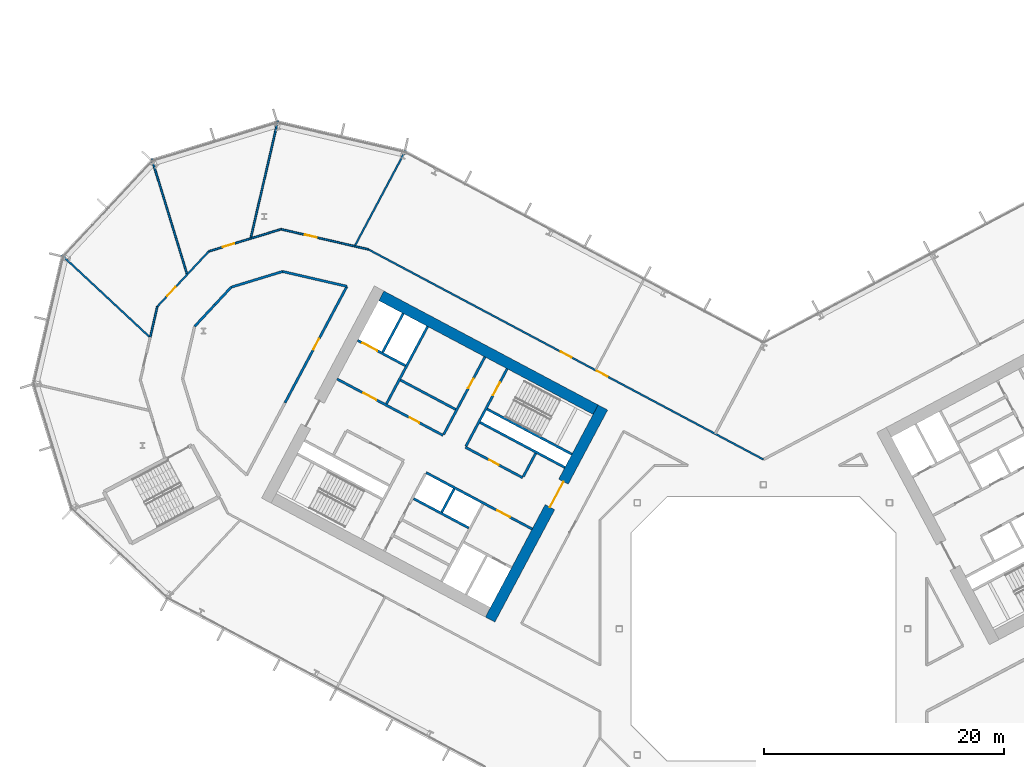
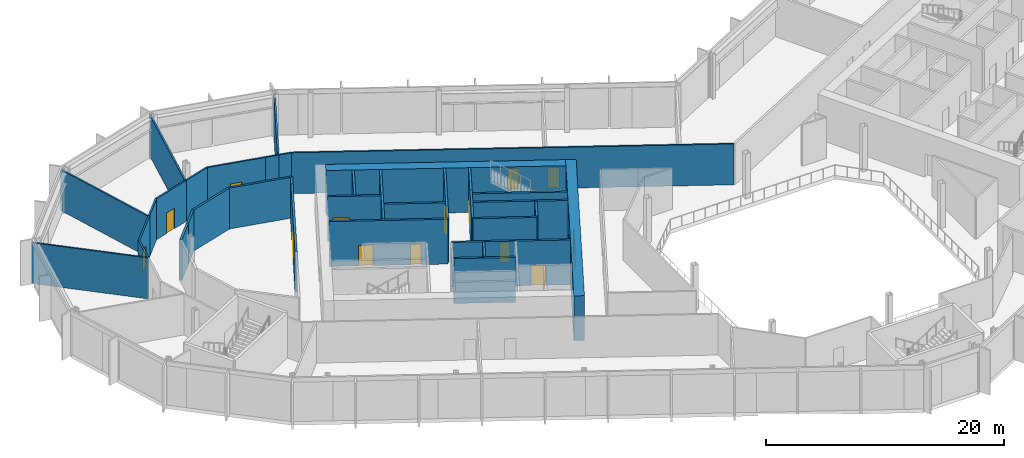
# One storey, part 15 of 30: 34 walls, 14 doors, 14 openings.
"""IFC4 building model written with IfcOpenShell, lengths in metres."""

import ifcopenshell
import ifcopenshell.guid

model = None  # the IFC model being written
_history = None  # IfcOwnerHistory: only IFC2X3 demands one
_inside = {}  # id of a spatial element -> (the spatial element, [elements in it])
_under = {}  # id of a project, library or spatial element -> (it, [spatial elements below it])
_declared = {}  # id of a project -> (the project, [libraries it declares])
_typed = {}  # id of a type object -> (the type object, [elements of that type])
_made_of = {}  # id of a material, layer set ... -> (it, [elements and type objects made of it])


def new_model(schema):
    """Start an empty IFC model of exactly this schema.

    Asked for "IFC4X3", IfcOpenShell would pick the latest addendum, in which some entities
    have other attributes; the version numbers below select the first issue.
    IFC2X3 requires an IfcOwnerHistory on every rooted entity: one is made here for all.
    """
    global model, _history
    if schema == "IFC4X3":
        model = ifcopenshell.file(schema_version=(4, 3, 0, 0))
    else:
        model = ifcopenshell.file(schema=schema)
    _inside.clear()
    _under.clear()
    _declared.clear()
    _typed.clear()
    _made_of.clear()
    _history = None
    if model.schema == "IFC2X3":
        org = make("IfcOrganization", Name="unknown")
        user = make(
            "IfcPersonAndOrganization",
            ThePerson=make("IfcPerson", FamilyName="unknown"),
            TheOrganization=org,
        )
        app = make(
            "IfcApplication",
            ApplicationDeveloper=org,
            Version="unknown",
            ApplicationFullName="unknown",
            ApplicationIdentifier="unknown",
        )
        _history = make(
            "IfcOwnerHistory",
            OwningUser=user,
            OwningApplication=app,
            ChangeAction="ADDED",
            CreationDate=0,
        )
    return model


def make(cls, **values):
    """One entity of the class cls with the attributes given. An attribute that is None is left unset."""
    return model.create_entity(
        cls, **{name: value for name, value in values.items() if value is not None}
    )


def rooted(cls, **values):
    """An entity with a GlobalId (a new one), such as an element, a storey or a relation."""
    return make(cls, GlobalId=ifcopenshell.guid.new(), OwnerHistory=_history, **values)


def si_unit(unit_type, name, prefix=None):
    """IfcSIUnit, for example si_unit("LENGTHUNIT", "METRE", prefix="MILLI")."""
    return make("IfcSIUnit", UnitType=unit_type, Prefix=prefix, Name=name)


def assignment(units):
    """IfcUnitAssignment: the units of a project."""
    return None if units is None else make("IfcUnitAssignment", Units=units)


def point(xyz):
    """IfcCartesianPoint."""
    return None if xyz is None else make("IfcCartesianPoint", Coordinates=xyz)


def direction(xyz):
    """IfcDirection."""
    return None if xyz is None else make("IfcDirection", DirectionRatios=xyz)


def frame(location, z_axis=None, x_axis=None):
    """IfcAxis2Placement3D, a coordinate frame: its origin and axes. An axis left out is left unset."""
    return make(
        "IfcAxis2Placement3D",
        Location=point(location),
        Axis=direction(z_axis),
        RefDirection=direction(x_axis),
    )


def frame_2d(location, x_axis=None):
    """IfcAxis2Placement2D, a coordinate frame in the plane: its origin and x axis."""
    return make(
        "IfcAxis2Placement2D", Location=point(location), RefDirection=direction(x_axis)
    )


def origin():
    """The frame at (0, 0, 0) with its axes left unset."""
    return frame((0.0, 0.0, 0.0))


def place(relative_to, where):
    """IfcLocalPlacement: puts the frame where relative to a parent placement (None: the world)."""
    return make(
        "IfcLocalPlacement", PlacementRelTo=relative_to, RelativePlacement=where
    )


def context(
    kind, dimensions, precision=None, world=None, true_north=None, identifier=None
):
    """IfcGeometricRepresentationContext, for example the 3D "Model" context."""
    return make(
        "IfcGeometricRepresentationContext",
        ContextIdentifier=identifier,
        ContextType=kind,
        CoordinateSpaceDimension=dimensions,
        Precision=precision,
        WorldCoordinateSystem=world,
        TrueNorth=true_north,
    )


def subcontext(parent, identifier, kind, view, scale=None):
    """IfcGeometricRepresentationSubContext, for example "Body" below "Model"."""
    return make(
        "IfcGeometricRepresentationSubContext",
        ContextIdentifier=identifier,
        ContextType=kind,
        ParentContext=parent,
        TargetScale=scale,
        TargetView=view,
    )


def project(units=None, contexts=None):
    """IfcProject with its units and contexts."""
    return rooted(
        "IfcProject",
        Name="project",
        RepresentationContexts=contexts,
        UnitsInContext=assignment(units),
    )


def spatial(cls, under=None, at=None, **own):
    """A site, building, storey or space (cls), placed at a placement, below another one or the project."""
    s = rooted(cls, ObjectPlacement=at, **own)
    if under is not None:
        _under.setdefault(under.id(), (under, []))[1].append(s)
    return s


def profile(cls, at=None, kind="AREA", **sizes):
    """A parametric profile (cls). Its sizes go by their IFC names, for example OverallWidth=200.0."""
    return make(cls, ProfileType=kind, Position=at, **sizes)


def rectangle(**sizes):
    """IfcRectangleProfileDef."""
    return profile("IfcRectangleProfileDef", **sizes)


def extrude(swept, where, along, depth):
    """IfcExtrudedAreaSolid: the profile swept, set in the frame where, extruded along a direction by depth."""
    return make(
        "IfcExtrudedAreaSolid",
        SweptArea=swept,
        Position=where,
        ExtrudedDirection=direction(along),
        Depth=depth,
    )


def shape(context_of_items, identifier, shape_type, items):
    """IfcShapeRepresentation: the items that make up one representation, for example the "Body"."""
    return make(
        "IfcShapeRepresentation",
        ContextOfItems=context_of_items,
        RepresentationIdentifier=identifier,
        RepresentationType=shape_type,
        Items=items,
    )


def material(Name=None, Category=None):
    """IfcMaterial."""
    return make("IfcMaterial", Name=Name, Category=Category)


def layer(
    of_material, thickness, ventilated=None, Name=None, Category=None, Priority=None
):
    """IfcMaterialLayer: one layer of a wall or slab, of a material (None: an air gap)."""
    return make(
        "IfcMaterialLayer",
        Material=of_material,
        LayerThickness=thickness,
        IsVentilated=ventilated,
        Name=Name,
        Category=Category,
        Priority=Priority,
    )


def layer_set(layers, Name=None):
    """IfcMaterialLayerSet."""
    return make("IfcMaterialLayerSet", MaterialLayers=layers, LayerSetName=Name)


def made_of(thing, what):
    """Note that an element or type object is made of a material, layer set ...; save() writes the relation."""
    if what is not None:
        _made_of.setdefault(what.id(), (what, []))[1].append(thing)
    return thing


def type_object(cls, material=None, **own):
    """A type object (cls), such as IfcWallType, which elements share."""
    return made_of(rooted(cls, **own), material)


def element(
    cls,
    number,
    at=None,
    inside=None,
    cuts=None,
    type_object=None,
    material=None,
    context=None,
    identifier="Body",
    shape_type=None,
    held_by="IfcProductDefinitionShape",
    body=None,
    shapes=None,
    **own,
):
    """One element of the class cls, such as IfcWall. Its Tag is "e" and its number.

    at: its placement. inside: the storey or other place that contains it. cuts: it is an
    opening in that element (IfcRelVoidsElement). A single representation is given by context,
    identifier, shape_type and body (its items); several are given by shapes. held_by: the class
    of the entity that holds the representations. save() writes the other relations.
    """
    e = rooted(cls, Tag="e%d" % number, ObjectPlacement=at, **own)
    if body is not None:
        shapes = [shape(context, identifier, shape_type, body)]
    if shapes is not None:
        e.Representation = make(held_by, Representations=shapes)
    if inside is not None:
        _inside.setdefault(inside.id(), (inside, []))[1].append(e)
    if cuts is not None:
        rooted(
            "IfcRelVoidsElement", RelatingBuildingElement=cuts, RelatedOpeningElement=e
        )
    if type_object is not None:
        _typed.setdefault(type_object.id(), (type_object, []))[1].append(e)
    return made_of(e, material)


def fill(opening, filler):
    """IfcRelFillsElement: the door or window that sits in an opening."""
    return rooted(
        "IfcRelFillsElement",
        RelatingOpeningElement=opening,
        RelatedBuildingElement=filler,
    )


def aggregate(whole, parts):
    """IfcRelAggregates: a whole, such as a stair, and the parts it consists of."""
    return rooted("IfcRelAggregates", RelatingObject=whole, RelatedObjects=parts)


def save(model, path):
    """Write the relations noted so far, then the file.

    IfcRelAggregates (storeys below a building ...), IfcRelContainedInSpatialStructure (elements
    in a storey), IfcRelDefinesByType, IfcRelAssociatesMaterial and IfcRelDeclares: one each for
    every whole, place, type object, material and project.
    """
    for whole, parts in _under.values():
        aggregate(whole, parts)
    for where, things in _inside.values():
        rooted(
            "IfcRelContainedInSpatialStructure",
            RelatedElements=things,
            RelatingStructure=where,
        )
    for kind, things in _typed.values():
        rooted("IfcRelDefinesByType", RelatedObjects=things, RelatingType=kind)
    for what, things in _made_of.values():
        rooted("IfcRelAssociatesMaterial", RelatedObjects=things, RelatingMaterial=what)
    for by, libraries in _declared.values():
        rooted("IfcRelDeclares", RelatingContext=by, RelatedDefinitions=libraries)
    model.write(path)


model = new_model("IFC4")

# Units and contexts
model_context = context("Model", 3, precision=1e-05, world=origin(), true_north=direction((0.0, 1.0)))
body_context = subcontext(model_context, "Body", "Model", "MODEL_VIEW")
ifc_project = project(units=[si_unit("LENGTHUNIT", "METRE"), si_unit("AREAUNIT", "SQUARE_METRE"), si_unit("VOLUMEUNIT", "CUBIC_METRE"), si_unit("PLANEANGLEUNIT", "RADIAN"), si_unit("MASSUNIT", "GRAM", prefix="KILO")], contexts=[model_context])

# Site, building, storey
site_placement = place(None, origin())
site = spatial("IfcSite", under=ifc_project, at=site_placement, CompositionType="ELEMENT")
building_placement = place(site_placement, origin())
building = spatial("IfcBuilding", under=site, at=building_placement, Name="Cormorant Relay Tower", CompositionType="ELEMENT")
storey_placement = place(building_placement, frame((0.0, 0.0, 89.199951171875)))
storey = spatial("IfcBuildingStorey", under=building, at=storey_placement, Name="L17", CompositionType="ELEMENT", Elevation=89.199951171875)

# Walls
ifc_material_1 = material(Name="Concrete 40 MPa", Category="concrete")
ifc_layer_1 = layer(ifc_material_1, 0.199951171875)
ifc_layer_set_1 = layer_set([ifc_layer_1], Name="Core internal wall 200")
wall_type_1 = type_object("IfcWallType", Name="Core internal wall 200", PredefinedType="SOLIDWALL", material=ifc_layer_set_1)
wall_1_placement = place(storey_placement, frame((-25.744140625, 11.64990234375, 0.0), z_axis=(0.0, 0.0, 1.0), x_axis=(-0.469487830541, -0.882938942948, 0.0)))
element("IfcWall", 1, at=wall_1_placement, inside=storey, type_object=wall_type_1, Name="L17 core A shaft and room wall", PredefinedType="SOLIDWALL", context=body_context, shape_type="SweptSolid", body=[
    extrude(rectangle(XDim=2.2001953125, YDim=0.199951171875, at=frame_2d((1.10009765625, 0.0))), origin(), (0.0, 0.0, 1.0), 4.60009765625),
])
ifc_material_2 = material(Name="Concrete 50 MPa", Category="concrete")
ifc_layer_2 = layer(ifc_material_2, 0.199951171875)
ifc_layer_set_2 = layer_set([ifc_layer_2], Name="Core shaft wall 200")
wall_type_2 = type_object("IfcWallType", Name="Core shaft wall 200", PredefinedType="SHEAR", material=ifc_layer_set_2)
wall_2_placement = place(storey_placement, frame((-18.959716796875, 14.611328125, 0.0), z_axis=(0.0, 0.0, 1.0), x_axis=(-0.4694473164, -0.882960484464, 0.0)))
element("IfcWall", 2, at=wall_2_placement, inside=storey, type_object=wall_type_2, Name="L17 core A shaft wall", PredefinedType="SHEAR", context=body_context, shape_type="SweptSolid", body=[
    extrude(rectangle(XDim=2.199951171875, YDim=0.199951171875, at=frame_2d((1.10009765625, 0.0))), origin(), (0.0, 0.0, 1.0), 4.60009765625),
])

# Wall, opening, door
wall_3_placement = place(storey_placement, frame((-21.333251953125, 21.6494140625, 0.0), z_axis=(0.0, 0.0, 1.0), x_axis=(-0.469494272526, -0.882935517501, 0.0)))
wall_3 = element("IfcWall", 3, at=wall_3_placement, inside=storey, type_object=wall_type_2, Name="L17 core A shaft wall", PredefinedType="SHEAR", context=body_context, shape_type="SweptSolid", body=[
    extrude(rectangle(XDim=7.2998046875, YDim=0.199951171875, at=frame_2d((3.64990234375, 0.0))), origin(), (0.0, 0.0, 1.0), 4.60009765625),
])
opening_1_placement = place(wall_3_placement, frame((1.300048828125, 0.0, 0.0)))
opening_1 = element("IfcOpeningElement", 4, at=opening_1_placement, cuts=wall_3, Name="Opening CDB-024", PredefinedType="OPENING", context=body_context, shape_type="SweptSolid", body=[
    extrude(rectangle(XDim=1.199951171875, YDim=2.10009765625, at=frame_2d((0.60009765625, 1.050048828125))), frame((0.0, 0.10986328125, 0.0), z_axis=(0.0, -1.0, 0.0), x_axis=(1.0, 0.0, 0.0)), (0.0, 0.0, 1.0), 0.219970703125),
])
ifc_material_3 = material(Name="Steel fire door", Category="steel")
door_type_1 = type_object("IfcDoorType", Name="Core stair door 1200x2100", OperationType="SINGLE_SWING_LEFT", PredefinedType="DOOR", material=ifc_material_3)
door_1_placement = place(opening_1_placement, origin())
door_1 = element("IfcDoor", 5, at=door_1_placement, inside=storey, type_object=door_type_1, Name="Core stair door 1200x2100", OperationType="SINGLE_SWING_RIGHT", OverallHeight=2.10009765625, OverallWidth=1.199951171875, PredefinedType="DOOR", context=body_context, shape_type="SweptSolid", body=[
    extrude(rectangle(XDim=1.199951171875, YDim=2.10009765625, at=frame_2d((0.60009765625, 1.050048828125))), frame((0.0, 0.02490234375, 0.0), z_axis=(0.0, -1.0, 0.0), x_axis=(1.0, 0.0, 0.0)), (0.0, 0.0, 1.0), 0.050048828125),
])
fill(opening_1, door_1)

wall_4_placement = place(storey_placement, frame((-23.1875, 22.635498046875, 0.0), z_axis=(0.0, 0.0, 1.0), x_axis=(-0.469454336211, -0.882956752176, 0.0)))
wall_4 = element("IfcWall", 6, at=wall_4_placement, inside=storey, type_object=wall_type_2, Name="L17 core A shaft wall", PredefinedType="SHEAR", context=body_context, shape_type="SweptSolid", body=[
    extrude(rectangle(XDim=7.300048828125, YDim=0.199951171875, at=frame_2d((3.64990234375, 0.0))), origin(), (0.0, 0.0, 1.0), 4.60009765625),
])
opening_2_placement = place(wall_4_placement, frame((2.050048828125, 0.0, 0.0)))
opening_2 = element("IfcOpeningElement", 7, at=opening_2_placement, cuts=wall_4, Name="Opening CDD-132", PredefinedType="OPENING", context=body_context, shape_type="SweptSolid", body=[
    extrude(rectangle(XDim=0.89990234375, YDim=2.10009765625, at=frame_2d((0.449951171875, 1.050048828125))), frame((0.0, 0.10986328125, 0.0), z_axis=(0.0, -1.0, 0.0), x_axis=(1.0, 0.0, 0.0)), (0.0, 0.0, 1.0), 0.219970703125),
])
ifc_material_4 = material(Name="Steel fire door", Category="steel")
door_type_2 = type_object("IfcDoorType", Name="Core room door 900x2100", OperationType="SINGLE_SWING_LEFT", PredefinedType="DOOR", material=ifc_material_4)
door_2_placement = place(opening_2_placement, origin())
door_2 = element("IfcDoor", 8, at=door_2_placement, inside=storey, type_object=door_type_2, Name="Core room door 900x2100", OperationType="SINGLE_SWING_LEFT", OverallHeight=2.10009765625, OverallWidth=0.89990234375, PredefinedType="DOOR", context=body_context, shape_type="SweptSolid", body=[
    extrude(rectangle(XDim=0.89990234375, YDim=2.10009765625, at=frame_2d((0.449951171875, 1.050048828125))), frame((0.0, 0.02490234375, 0.0), z_axis=(0.0, -1.0, 0.0), x_axis=(1.0, 0.0, 0.0)), (0.0, 0.0, 1.0), 0.050048828125),
])
fill(opening_2, door_2)

# Walls
wall_5_placement = place(storey_placement, frame((-27.955322265625, 25.170654296875, 0.0), z_axis=(0.0, 0.0, 1.0), x_axis=(-0.469480409012, -0.88294288918, 0.0)))
element("IfcWall", 9, at=wall_5_placement, inside=storey, type_object=wall_type_2, Name="L17 core A shaft wall", PredefinedType="SHEAR", context=body_context, shape_type="SweptSolid", body=[
    extrude(rectangle(XDim=7.300048828125, YDim=0.199951171875, at=frame_2d((3.64990234375, 0.0))), origin(), (0.0, 0.0, 1.0), 4.60009765625),
])
wall_6_placement = place(storey_placement, frame((-29.986083984375, 26.250244140625, 0.0), z_axis=(0.0, 0.0, 1.0), x_axis=(-0.469494272526, -0.882935517501, 0.0)))
element("IfcWall", 10, at=wall_6_placement, inside=storey, type_object=wall_type_2, Name="L17 core A shaft wall", PredefinedType="SHEAR", context=body_context, shape_type="SweptSolid", body=[
    extrude(rectangle(XDim=3.64990234375, YDim=0.199951171875, at=frame_2d((1.824951171875, 0.0))), origin(), (0.0, 0.0, 1.0), 4.60009765625),
])
wall_7_placement = place(storey_placement, frame((-15.94189453125, 14.53564453125, 0.0), z_axis=(0.0, 0.0, 1.0), x_axis=(-0.882946947542, 0.469472776449, 0.0)))
element("IfcWall", 11, at=wall_7_placement, inside=storey, type_object=wall_type_2, Name="L17 core A shaft wall", PredefinedType="SHEAR", context=body_context, shape_type="SweptSolid", body=[
    extrude(rectangle(XDim=8.000244140625, YDim=0.199951171875, at=frame_2d((4.0, 0.0))), origin(), (0.0, 0.0, 1.0), 4.60009765625),
])

# Wall, opening, door
wall_8_placement = place(storey_placement, frame((-29.80419921875, 21.906494140625, 0.0), z_axis=(0.0, 0.0, 1.0), x_axis=(-0.882960433586, 0.469447412093, 0.0)))
wall_8 = element("IfcWall", 12, at=wall_8_placement, inside=storey, type_object=wall_type_2, Name="L17 core A shaft wall", PredefinedType="SHEAR", context=body_context, shape_type="SweptSolid", body=[
    extrude(rectangle(XDim=4.5, YDim=0.199951171875, at=frame_2d((2.25, 0.0))), origin(), (0.0, 0.0, 1.0), 4.60009765625),
])
opening_3_placement = place(wall_8_placement, frame((2.64990234375, 0.0, 0.0)))
opening_3 = element("IfcOpeningElement", 13, at=opening_3_placement, cuts=wall_8, Name="Opening LD3-009", PredefinedType="OPENING", context=body_context, shape_type="SweptSolid", body=[
    extrude(rectangle(XDim=1.39990234375, YDim=2.39990234375, at=frame_2d((0.699951171875, 1.199951171875))), frame((0.0, 0.10986328125, 0.0), z_axis=(0.0, -1.0, 0.0), x_axis=(1.0, 0.0, 0.0)), (0.0, 0.0, 1.0), 0.219970703125),
])
ifc_material_5 = material(Name="Stainless steel 316", Category="steel")
door_type_3 = type_object("IfcDoorType", Name="Lift landing door 1400x2400", OperationType="DOUBLE_DOOR_SLIDING", PredefinedType="DOOR", material=ifc_material_5)
door_3_placement = place(opening_3_placement, origin())
door_3 = element("IfcDoor", 14, at=door_3_placement, inside=storey, type_object=door_type_3, Name="SV1 landing door", OperationType="DOUBLE_DOOR_SLIDING", OverallHeight=2.39990234375, OverallWidth=1.39990234375, PredefinedType="DOOR", context=body_context, shape_type="SweptSolid", body=[
    extrude(rectangle(XDim=1.39990234375, YDim=2.39990234375, at=frame_2d((0.699951171875, 1.199951171875))), frame((0.0, 0.02490234375, 0.0), z_axis=(0.0, -1.0, 0.0), x_axis=(1.0, 0.0, 0.0)), (0.0, 0.0, 1.0), 0.050048828125),
])
fill(opening_3, door_3)

# Walls
wall_9_placement = place(storey_placement, frame((-16.52880859375, 13.43212890625, 0.0), z_axis=(0.0, 0.0, 1.0), x_axis=(-0.88295287151, 0.469461634952, 0.0)))
element("IfcWall", 15, at=wall_9_placement, inside=storey, type_object=wall_type_2, Name="L17 core A shaft wall", PredefinedType="SHEAR", context=body_context, shape_type="SweptSolid", body=[
    extrude(rectangle(XDim=7.999755859375, YDim=0.199951171875, at=frame_2d((4.0, 0.0))), origin(), (0.0, 0.0, 1.0), 4.60009765625),
])
wall_10_placement = place(storey_placement, frame((-25.623046875, 18.267578125, 0.0), z_axis=(0.0, 0.0, 1.0), x_axis=(-0.882953967957, 0.469459572775, 0.0)))
element("IfcWall", 16, at=wall_10_placement, inside=storey, type_object=wall_type_2, Name="L17 core A shaft wall", PredefinedType="SHEAR", context=body_context, shape_type="SweptSolid", body=[
    extrude(rectangle(XDim=5.199951171875, YDim=0.199951171875, at=frame_2d((2.60009765625, 0.0))), origin(), (0.0, 0.0, 1.0), 4.60009765625),
])

# Wall, opening, door
wall_11_placement = place(storey_placement, frame((-20.03955078125, 12.58056640625, 0.0), z_axis=(0.0, 0.0, 1.0), x_axis=(-0.882942972946, 0.469480251476, 0.0)))
wall_11 = element("IfcWall", 17, at=wall_11_placement, inside=storey, type_object=wall_type_2, Name="L17 core A shaft wall", PredefinedType="SHEAR", context=body_context, shape_type="SweptSolid", body=[
    extrude(rectangle(XDim=5.39990234375, YDim=0.199951171875, at=frame_2d((2.699951171875, 0.0))), origin(), (0.0, 0.0, 1.0), 4.60009765625),
])
opening_4_placement = place(wall_11_placement, frame((2.25, 0.0, 0.0)))
opening_4 = element("IfcOpeningElement", 18, at=opening_4_placement, cuts=wall_11, Name="Opening CDD-127", PredefinedType="OPENING", context=body_context, shape_type="SweptSolid", body=[
    extrude(rectangle(XDim=0.89990234375, YDim=2.10009765625, at=frame_2d((0.449951171875, 1.050048828125))), frame((0.0, 0.10986328125, 0.0), z_axis=(0.0, -1.0, 0.0), x_axis=(1.0, 0.0, 0.0)), (0.0, 0.0, 1.0), 0.219970703125),
])
door_4_placement = place(opening_4_placement, frame((0.89990234375, 0.0, 0.0), z_axis=(0.0, 0.0, 1.0), x_axis=(-1.0, 0.0, 0.0)))
door_4 = element("IfcDoor", 19, at=door_4_placement, inside=storey, type_object=door_type_2, Name="Core room door 900x2100", OperationType="SINGLE_SWING_RIGHT", OverallHeight=2.10009765625, OverallWidth=0.89990234375, PredefinedType="DOOR", context=body_context, shape_type="SweptSolid", body=[
    extrude(rectangle(XDim=0.89990234375, YDim=2.10009765625, at=frame_2d((0.449951171875, 1.050048828125))), frame((0.0, 0.02490234375, 0.0), z_axis=(0.0, -1.0, 0.0), x_axis=(1.0, 0.0, 0.0)), (0.0, 0.0, 1.0), 0.050048828125),
])
fill(opening_4, door_4)

# Wall, openings, doors
wall_12_placement = place(storey_placement, frame((-26.66162109375, 16.1015625, 0.0), z_axis=(0.0, 0.0, 1.0), x_axis=(-0.882940221191, 0.469485426614, 0.0)))
wall_12 = element("IfcWall", 20, at=wall_12_placement, inside=storey, type_object=wall_type_2, Name="L17 core A shaft wall", PredefinedType="SHEAR", context=body_context, shape_type="SweptSolid", body=[
    extrude(rectangle(XDim=10.0, YDim=0.199951171875, at=frame_2d((5.0, 0.0))), origin(), (0.0, 0.0, 1.0), 4.60009765625),
])
opening_5_placement = place(wall_12_placement, frame((6.300048828125, 0.0, 0.0)))
opening_5 = element("IfcOpeningElement", 21, at=opening_5_placement, cuts=wall_12, Name="Opening CDC-018", PredefinedType="OPENING", context=body_context, shape_type="SweptSolid", body=[
    extrude(rectangle(XDim=1.199951171875, YDim=2.10009765625, at=frame_2d((0.60009765625, 1.050048828125))), frame((0.0, 0.10986328125, 0.0), z_axis=(0.0, -1.0, 0.0), x_axis=(1.0, 0.0, 0.0)), (0.0, 0.0, 1.0), 0.219970703125),
])
opening_6_placement = place(wall_12_placement, frame((2.25, 0.0, 0.0)))
opening_6 = element("IfcOpeningElement", 22, at=opening_6_placement, cuts=wall_12, Name="Opening CDD-128", PredefinedType="OPENING", context=body_context, shape_type="SweptSolid", body=[
    extrude(rectangle(XDim=0.89990234375, YDim=2.10009765625, at=frame_2d((0.449951171875, 1.050048828125))), frame((0.0, 0.10986328125, 0.0), z_axis=(0.0, -1.0, 0.0), x_axis=(1.0, 0.0, 0.0)), (0.0, 0.0, 1.0), 0.219970703125),
])
ifc_material_6 = material(Name="Steel fire door", Category="steel")
door_type_4 = type_object("IfcDoorType", Name="Core lobby door 1200x2100", OperationType="SINGLE_SWING_LEFT", PredefinedType="DOOR", material=ifc_material_6)
door_5_placement = place(opening_5_placement, origin())
door_5 = element("IfcDoor", 23, at=door_5_placement, inside=storey, type_object=door_type_4, Name="Core lobby door 1200x2100", OperationType="SINGLE_SWING_LEFT", OverallHeight=2.10009765625, OverallWidth=1.199951171875, PredefinedType="DOOR", context=body_context, shape_type="SweptSolid", body=[
    extrude(rectangle(XDim=1.199951171875, YDim=2.10009765625, at=frame_2d((0.60009765625, 1.050048828125))), frame((0.0, 0.02490234375, 0.0), z_axis=(0.0, -1.0, 0.0), x_axis=(1.0, 0.0, 0.0)), (0.0, 0.0, 1.0), 0.050048828125),
])
fill(opening_5, door_5)
door_6_placement = place(opening_6_placement, origin())
door_6 = element("IfcDoor", 24, at=door_6_placement, inside=storey, type_object=door_type_2, Name="Core room door 900x2100", OperationType="SINGLE_SWING_LEFT", OverallHeight=2.10009765625, OverallWidth=0.89990234375, PredefinedType="DOOR", context=body_context, shape_type="SweptSolid", body=[
    extrude(rectangle(XDim=0.89990234375, YDim=2.10009765625, at=frame_2d((0.449951171875, 1.050048828125))), frame((0.0, 0.02490234375, 0.0), z_axis=(0.0, -1.0, 0.0), x_axis=(1.0, 0.0, 0.0)), (0.0, 0.0, 1.0), 0.050048828125),
])
fill(opening_6, door_6)

# Wall, opening, door
wall_13_placement = place(storey_placement, frame((-19.251708984375, 8.31103515625, 0.0), z_axis=(0.0, 0.0, 1.0), x_axis=(-0.882955722218, 0.469456273365, 0.0)))
wall_13 = element("IfcWall", 25, at=wall_13_placement, inside=storey, type_object=wall_type_2, Name="L17 core A shaft wall", PredefinedType="SHEAR", context=body_context, shape_type="SweptSolid", body=[
    extrude(rectangle(XDim=10.0, YDim=0.199951171875, at=frame_2d((5.0, 0.0))), origin(), (0.0, 0.0, 1.0), 4.60009765625),
])
opening_7_placement = place(wall_13_placement, frame((2.10009765625, 0.0, 0.0)))
opening_7 = element("IfcOpeningElement", 26, at=opening_7_placement, cuts=wall_13, Name="Opening CDC-017", PredefinedType="OPENING", context=body_context, shape_type="SweptSolid", body=[
    extrude(rectangle(XDim=1.199951171875, YDim=2.10009765625, at=frame_2d((0.60009765625, 1.050048828125))), frame((0.0, 0.10986328125, 0.0), z_axis=(0.0, -1.0, 0.0), x_axis=(1.0, 0.0, 0.0)), (0.0, 0.0, 1.0), 0.219970703125),
])
door_7_placement = place(opening_7_placement, origin())
door_7 = element("IfcDoor", 27, at=door_7_placement, inside=storey, type_object=door_type_4, Name="Core lobby door 1200x2100", OperationType="SINGLE_SWING_RIGHT", OverallHeight=2.10009765625, OverallWidth=1.199951171875, PredefinedType="DOOR", context=body_context, shape_type="SweptSolid", body=[
    extrude(rectangle(XDim=1.199951171875, YDim=2.10009765625, at=frame_2d((0.60009765625, 1.050048828125))), frame((0.0, 0.02490234375, 0.0), z_axis=(0.0, -1.0, 0.0), x_axis=(1.0, 0.0, 0.0)), (0.0, 0.0, 1.0), 0.050048828125),
])
fill(opening_7, door_7)

# Wall
wall_14_placement = place(storey_placement, frame((-24.5283203125, 8.3984375, 0.0), z_axis=(0.0, 0.0, 1.0), x_axis=(-0.882953967957, 0.469459572775, 0.0)))
element("IfcWall", 28, at=wall_14_placement, inside=storey, type_object=wall_type_2, Name="L17 core A shaft wall", PredefinedType="SHEAR", context=body_context, shape_type="SweptSolid", body=[
    extrude(rectangle(XDim=5.199951171875, YDim=0.199951171875, at=frame_2d((2.60009765625, 0.0))), origin(), (0.0, 0.0, 1.0), 4.60009765625),
])

# Wall, opening, door
ifc_material_7 = material(Name="Concrete 70 MPa", Category="concrete")
ifc_layer_3 = layer(ifc_material_7, 0.89990234375)
ifc_layer_set_3 = layer_set([ifc_layer_3], Name="Core wall 900")
wall_type_3 = type_object("IfcWallType", Name="Core wall 900", PredefinedType="SHEAR", material=ifc_layer_set_3)
wall_15_placement = place(storey_placement, frame((-13.361572265625, 18.43017578125, 0.0), z_axis=(0.0, 0.0, 1.0), x_axis=(-0.46947084998, -0.882947971864, 0.0)))
wall_15 = element("IfcWall", 29, at=wall_15_placement, inside=storey, type_object=wall_type_3, Name="L17 core A wall", PredefinedType="SHEAR", context=body_context, shape_type="SweptSolid", body=[
    extrude(rectangle(XDim=20.0, YDim=0.89990234375, at=frame_2d((10.0, 0.0))), origin(), (0.0, 0.0, 1.0), 4.60009765625),
])
opening_8_placement = place(wall_15_placement, frame((7.0, 0.0, 0.0)))
opening_8 = element("IfcOpeningElement", 30, at=opening_8_placement, cuts=wall_15, Name="Opening CDA-021", PredefinedType="OPENING", context=body_context, shape_type="SweptSolid", body=[
    extrude(rectangle(XDim=2.39990234375, YDim=2.39990234375, at=frame_2d((1.199951171875, 1.199951171875))), frame((0.0, 0.4599609375, 0.0), z_axis=(0.0, -1.0, 0.0), x_axis=(1.0, 0.0, 0.0)), (0.0, 0.0, 1.0), 0.919921875),
])
ifc_material_8 = material(Name="Steel fire door", Category="steel")
door_type_5 = type_object("IfcDoorType", Name="Core lobby door 2400x2400", OperationType="DOUBLE_DOOR_SINGLE_SWING", PredefinedType="DOOR", material=ifc_material_8)
door_8_placement = place(opening_8_placement, origin())
door_8 = element("IfcDoor", 31, at=door_8_placement, inside=storey, type_object=door_type_5, Name="Core lobby door 2400x2400", OperationType="DOUBLE_DOOR_SINGLE_SWING", OverallHeight=2.39990234375, OverallWidth=2.39990234375, PredefinedType="DOOR", context=body_context, shape_type="SweptSolid", body=[
    extrude(rectangle(XDim=2.39990234375, YDim=2.39990234375, at=frame_2d((1.199951171875, 1.199951171875))), frame((0.0, 0.02490234375, 0.0), z_axis=(0.0, -1.0, 0.0), x_axis=(1.0, 0.0, 0.0)), (0.0, 0.0, 1.0), 0.050048828125),
])
fill(opening_8, door_8)

# Walls
wall_16_placement = place(storey_placement, frame((-13.97021484375, 18.244140625, 0.0), z_axis=(0.0, 0.0, 1.0), x_axis=(-0.88294509198, 0.469476266226, 0.0)))
element("IfcWall", 32, at=wall_16_placement, inside=storey, type_object=wall_type_3, Name="L17 core A wall", PredefinedType="SHEAR", context=body_context, shape_type="SweptSolid", body=[
    extrude(rectangle(XDim=20.199951171875, YDim=0.89990234375, at=frame_2d((10.10009765625, 0.0))), origin(), (0.0, 0.0, 1.0), 4.60009765625),
])
ifc_material_9 = material(Name="Fire-rated gypsum board partition")
ifc_layer_4 = layer(ifc_material_9, 0.199951171875)
ifc_layer_set_4 = layer_set([ifc_layer_4], Name="Fire-rated gypsum partition 200")
wall_type_4 = type_object("IfcWallType", Name="Fire-rated gypsum partition 200", PredefinedType="PARTITIONING", material=ifc_layer_set_4)
wall_17_placement = place(storey_placement, frame((-47.35107421875, 25.177001953125, 0.0), z_axis=(0.0, 0.0, 1.0), x_axis=(0.681950982626, 0.731397878925, 0.0)))
element("IfcWall", 33, at=wall_17_placement, inside=storey, type_object=wall_type_4, Name="wall/L17/part/13", PredefinedType="PARTITIONING", context=body_context, shape_type="SweptSolid", body=[
    extrude(rectangle(XDim=2.4638671875, YDim=0.199951171875, at=frame_2d((1.23193359375, 0.0))), origin(), (0.0, 0.0, 1.0), 4.199951171875),
])
wall_18_placement = place(storey_placement, frame((-40.033935546875, 29.7490234375, 0.0), z_axis=(0.0, 0.0, 1.0), x_axis=(-0.956357512161, -0.29219909126, 0.0)))
element("IfcWall", 34, at=wall_18_placement, inside=storey, type_object=wall_type_4, Name="wall/L17/part/19", PredefinedType="PARTITIONING", context=body_context, shape_type="SweptSolid", body=[
    extrude(rectangle(XDim=4.4658203125, YDim=0.199951171875, at=frame_2d((2.23291015625, 0.0))), origin(), (0.0, 0.0, 1.0), 4.199951171875),
])
wall_19_placement = place(storey_placement, frame((-44.304931640625, 28.444091796875, 0.0), z_axis=(0.0, 0.0, 1.0), x_axis=(-0.681931663517, -0.731415891469, 0.0)))
element("IfcWall", 35, at=wall_19_placement, inside=storey, type_object=wall_type_4, Name="wall/L17/part/20", PredefinedType="PARTITIONING", context=body_context, shape_type="SweptSolid", body=[
    extrude(rectangle(XDim=2.003173828125, YDim=0.199951171875, at=frame_2d((1.00146484375, 0.0))), origin(), (0.0, 0.0, 1.0), 4.199951171875),
])
wall_20_placement = place(storey_placement, frame((-34.673095703125, 28.511962890625, 0.0), z_axis=(0.0, 0.0, 1.0), x_axis=(-0.974393439342, 0.224849784003, 0.0)))
element("IfcWall", 36, at=wall_20_placement, inside=storey, type_object=wall_type_4, Name="wall/L17/part/31", PredefinedType="PARTITIONING", context=body_context, shape_type="SweptSolid", body=[
    extrude(rectangle(XDim=5.501708984375, YDim=0.199951171875, at=frame_2d((2.7509765625, 0.0))), origin(), (0.0, 0.0, 1.0), 4.199951171875),
])

# Wall, opening, door
wall_21_placement = place(storey_placement, frame((-34.673095703125, 28.511962890625, 0.0), z_axis=(0.0, 0.0, 1.0), x_axis=(-0.469440333182, -0.882964197226, 0.0)))
wall_21 = element("IfcWall", 37, at=wall_21_placement, inside=storey, type_object=wall_type_4, Name="wall/L17/part/32", PredefinedType="PARTITIONING", context=body_context, shape_type="SweptSolid", body=[
    extrude(rectangle(XDim=10.9765625, YDim=0.199951171875, at=frame_2d((5.48828125, 0.0))), origin(), (0.0, 0.0, 1.0), 4.199951171875),
])
opening_9_placement = place(wall_21_placement, frame((4.949951171875, 0.0, 0.0)))
opening_9 = element("IfcOpeningElement", 38, at=opening_9_placement, cuts=wall_21, Name="Opening FD1-092", PredefinedType="OPENING", context=body_context, shape_type="SweptSolid", body=[
    extrude(rectangle(XDim=1.0, YDim=2.10009765625, at=frame_2d((0.5, 1.050048828125))), frame((0.0, 0.10986328125, 0.0), z_axis=(0.0, -1.0, 0.0), x_axis=(1.0, 0.0, 0.0)), (0.0, 0.0, 1.0), 0.219970703125),
])
ifc_material_10 = material(Name="Fire-rated steel door", Category="steel")
door_type_6 = type_object("IfcDoorType", Name="Fire door 1000 x 2100", OperationType="SINGLE_SWING_LEFT", PredefinedType="DOOR", material=ifc_material_10)
door_9_placement = place(opening_9_placement, origin())
door_9 = element("IfcDoor", 39, at=door_9_placement, inside=storey, type_object=door_type_6, Name="door/L17/1", OperationType="SINGLE_SWING_LEFT", OverallHeight=2.10009765625, OverallWidth=1.0, PredefinedType="DOOR", context=body_context, shape_type="SweptSolid", body=[
    extrude(rectangle(XDim=1.0, YDim=2.10009765625, at=frame_2d((0.5, 1.050048828125))), frame((0.0, 0.02490234375, 0.0), z_axis=(0.0, -1.0, 0.0), x_axis=(1.0, 0.0, 0.0)), (0.0, 0.0, 1.0), 0.050048828125),
])
fill(opening_9, door_9)

# Wall
ifc_material_11 = material(Name="Gypsum board partition")
ifc_layer_5 = layer(ifc_material_11, 0.14990234375)
ifc_layer_set_5 = layer_set([ifc_layer_5], Name="Gypsum board partition 150")
wall_type_5 = type_object("IfcWallType", Name="Gypsum board partition 150", PredefinedType="PARTITIONING", material=ifc_layer_set_5)
wall_22_placement = place(storey_placement, frame((-58.427001953125, 31.125, 0.0), z_axis=(0.0, 0.0, 1.0), x_axis=(0.731473963822, -0.681869371838, 0.0)))
element("IfcWall", 40, at=wall_22_placement, inside=storey, type_object=wall_type_5, Name="wall/L17/part/2", PredefinedType="PARTITIONING", context=body_context, shape_type="SweptSolid", body=[
    extrude(rectangle(XDim=10.079833984375, YDim=0.14990234375, at=frame_2d((5.0400390625, 0.0))), origin(), (0.0, 0.0, 1.0), 4.199951171875),
])

# Wall, opening, door
wall_23_placement = place(storey_placement, frame((-47.93310546875, 29.5380859375, 0.0), z_axis=(0.0, 0.0, 1.0), x_axis=(-0.682088017664, -0.731270084277, 0.0)))
wall_23 = element("IfcWall", 41, at=wall_23_placement, inside=storey, type_object=wall_type_5, Name="wall/L17/part/7", PredefinedType="PARTITIONING", context=body_context, shape_type="SweptSolid", body=[
    extrude(rectangle(XDim=3.703125, YDim=0.14990234375, at=frame_2d((1.8515625, 0.0))), origin(), (0.0, 0.0, 1.0), 4.199951171875),
])
opening_10_placement = place(wall_23_placement, frame((1.486083984375, 0.0, 0.0)))
opening_10 = element("IfcOpeningElement", 42, at=opening_10_placement, cuts=wall_23, Name="Opening D1-036", PredefinedType="OPENING", context=body_context, shape_type="SweptSolid", body=[
    extrude(rectangle(XDim=1.0, YDim=2.10009765625, at=frame_2d((0.5, 1.050048828125))), frame((0.0, 0.0849609375, 0.0), z_axis=(0.0, -1.0, 0.0), x_axis=(1.0, 0.0, 0.0)), (0.0, 0.0, 1.0), 0.169921875),
])
ifc_material_12 = material(Name="Painted steel door", Category="steel")
door_type_7 = type_object("IfcDoorType", Name="Single door 1000 x 2100", OperationType="SINGLE_SWING_LEFT", PredefinedType="DOOR", material=ifc_material_12)
door_10_placement = place(opening_10_placement, frame((1.0, 0.0, 0.0), z_axis=(0.0, 0.0, 1.0), x_axis=(-1.0, 0.0, 0.0)))
door_10 = element("IfcDoor", 43, at=door_10_placement, inside=storey, type_object=door_type_7, Name="door/L17/15", OperationType="SINGLE_SWING_RIGHT", OverallHeight=2.10009765625, OverallWidth=1.0, PredefinedType="DOOR", context=body_context, shape_type="SweptSolid", body=[
    extrude(rectangle(XDim=1.0, YDim=2.10009765625, at=frame_2d((0.5, 1.050048828125))), frame((0.0, 0.02490234375, 0.0), z_axis=(0.0, -1.0, 0.0), x_axis=(1.0, 0.0, 0.0)), (0.0, 0.0, 1.0), 0.050048828125),
])
fill(opening_10, door_10)

# Walls
wall_24_placement = place(storey_placement, frame((-50.458984375, 26.830078125, 0.0), z_axis=(0.0, 0.0, 1.0), x_axis=(-0.225121568864, -0.974330682691, 0.0)))
element("IfcWall", 44, at=wall_24_placement, inside=storey, type_object=wall_type_5, Name="wall/L17/part/8", PredefinedType="PARTITIONING", context=body_context, shape_type="SweptSolid", body=[
    extrude(rectangle(XDim=2.58544921875, YDim=0.14990234375, at=frame_2d((1.292724609375, 0.0))), origin(), (0.0, 0.0, 1.0), 4.199951171875),
])
wall_25_placement = place(storey_placement, frame((-50.922119140625, 39.133056640625, 0.0), z_axis=(0.0, 0.0, 1.0), x_axis=(0.292463432429, -0.956276707178, 0.0)))
element("IfcWall", 45, at=wall_25_placement, inside=storey, type_object=wall_type_5, Name="wall/L17/part/9", PredefinedType="PARTITIONING", context=body_context, shape_type="SweptSolid", body=[
    extrude(rectangle(XDim=10.079833984375, YDim=0.14990234375, at=frame_2d((5.0400390625, 0.0))), origin(), (0.0, 0.0, 1.0), 4.199951171875),
])

# Wall, opening, door
wall_26_placement = place(storey_placement, frame((-42.653076171875, 32.50390625, 0.0), z_axis=(0.0, 0.0, 1.0), x_axis=(-0.95632425254, -0.292307926687, 0.0)))
wall_26 = element("IfcWall", 46, at=wall_26_placement, inside=storey, type_object=wall_type_5, Name="wall/L17/part/17", PredefinedType="PARTITIONING", context=body_context, shape_type="SweptSolid", body=[
    extrude(rectangle(XDim=3.677490234375, YDim=0.14990234375, at=frame_2d((1.8388671875, 0.0))), origin(), (0.0, 0.0, 1.0), 4.199951171875),
])
opening_11_placement = place(wall_26_placement, frame((1.4609375, 0.0, 0.0)))
opening_11 = element("IfcOpeningElement", 47, at=opening_11_placement, cuts=wall_26, Name="Opening D1-035", PredefinedType="OPENING", context=body_context, shape_type="SweptSolid", body=[
    extrude(rectangle(XDim=1.0, YDim=2.10009765625, at=frame_2d((0.5, 1.050048828125))), frame((0.0, 0.0849609375, 0.0), z_axis=(0.0, -1.0, 0.0), x_axis=(1.0, 0.0, 0.0)), (0.0, 0.0, 1.0), 0.169921875),
])
door_11_placement = place(opening_11_placement, frame((1.0, 0.0, 0.0), z_axis=(0.0, 0.0, 1.0), x_axis=(-1.0, 0.0, 0.0)))
door_11 = element("IfcDoor", 48, at=door_11_placement, inside=storey, type_object=door_type_7, Name="door/L17/14", OperationType="SINGLE_SWING_RIGHT", OverallHeight=2.10009765625, OverallWidth=1.0, PredefinedType="DOOR", context=body_context, shape_type="SweptSolid", body=[
    extrude(rectangle(XDim=1.0, YDim=2.10009765625, at=frame_2d((0.5, 1.050048828125))), frame((0.0, 0.02490234375, 0.0), z_axis=(0.0, -1.0, 0.0), x_axis=(1.0, 0.0, 0.0)), (0.0, 0.0, 1.0), 0.050048828125),
])
fill(opening_11, door_11)

# Walls
wall_27_placement = place(storey_placement, frame((-46.169921875, 31.428955078125, 0.0), z_axis=(0.0, 0.0, 1.0), x_axis=(-0.68198172509, -0.731369213628, 0.0)))
element("IfcWall", 49, at=wall_27_placement, inside=storey, type_object=wall_type_5, Name="wall/L17/part/18", PredefinedType="PARTITIONING", context=body_context, shape_type="SweptSolid", body=[
    extrude(rectangle(XDim=2.58544921875, YDim=0.14990234375, at=frame_2d((1.292724609375, 0.0))), origin(), (0.0, 0.0, 1.0), 4.199951171875),
])
wall_28_placement = place(storey_placement, frame((-40.4189453125, 42.31494140625, 0.0), z_axis=(0.0, 0.0, 1.0), x_axis=(-0.224924959868, -0.974376088802, 0.0)))
element("IfcWall", 50, at=wall_28_placement, inside=storey, type_object=wall_type_5, Name="wall/L17/part/28", PredefinedType="PARTITIONING", context=body_context, shape_type="SweptSolid", body=[
    extrude(rectangle(XDim=10.079345703125, YDim=0.14990234375, at=frame_2d((5.03955078125, 0.0))), origin(), (0.0, 0.0, 1.0), 4.199951171875),
])
wall_29_placement = place(storey_placement, frame((-40.156005859375, 33.26708984375, 0.0), z_axis=(0.0, 0.0, 1.0), x_axis=(-0.956331245239, -0.292285048164, 0.0)))
element("IfcWall", 51, at=wall_29_placement, inside=storey, type_object=wall_type_5, Name="wall/L17/part/29", PredefinedType="PARTITIONING", context=body_context, shape_type="SweptSolid", body=[
    extrude(rectangle(XDim=2.611083984375, YDim=0.14990234375, at=frame_2d((1.3056640625, 0.0))), origin(), (0.0, 0.0, 1.0), 4.199951171875),
])

# Wall, opening, door
wall_30_placement = place(storey_placement, frame((-40.156982421875, 33.26708984375, 0.0), z_axis=(0.0, 0.0, 1.0), x_axis=(0.974407195754, -0.224790161846, 0.0)))
wall_30 = element("IfcWall", 52, at=wall_30_placement, inside=storey, type_object=wall_type_5, Name="wall/L17/part/30", PredefinedType="PARTITIONING", context=body_context, shape_type="SweptSolid", body=[
    extrude(rectangle(XDim=5.142578125, YDim=0.14990234375, at=frame_2d((2.5712890625, 0.0))), origin(), (0.0, 0.0, 1.0), 4.199951171875),
])
opening_12_placement = place(wall_30_placement, frame((2.050048828125, 0.0, 0.0)))
opening_12 = element("IfcOpeningElement", 53, at=opening_12_placement, cuts=wall_30, Name="Opening D1-034", PredefinedType="OPENING", context=body_context, shape_type="SweptSolid", body=[
    extrude(rectangle(XDim=1.0, YDim=2.10009765625, at=frame_2d((0.5, 1.050048828125))), frame((0.0, 0.0849609375, 0.0), z_axis=(0.0, -1.0, 0.0), x_axis=(1.0, 0.0, 0.0)), (0.0, 0.0, 1.0), 0.169921875),
])
door_12_placement = place(opening_12_placement, origin())
door_12 = element("IfcDoor", 54, at=door_12_placement, inside=storey, type_object=door_type_7, Name="door/L17/13", OperationType="SINGLE_SWING_RIGHT", OverallHeight=2.10009765625, OverallWidth=1.0, PredefinedType="DOOR", context=body_context, shape_type="SweptSolid", body=[
    extrude(rectangle(XDim=1.0, YDim=2.10009765625, at=frame_2d((0.5, 1.050048828125))), frame((0.0, 0.02490234375, 0.0), z_axis=(0.0, -1.0, 0.0), x_axis=(1.0, 0.0, 0.0)), (0.0, 0.0, 1.0), 0.050048828125),
])
fill(opening_12, door_12)

# Walls
wall_31_placement = place(storey_placement, frame((-35.14599609375, 32.111083984375, 0.0), z_axis=(0.0, 0.0, 1.0), x_axis=(0.974164552701, -0.225839377125, 0.0)))
element("IfcWall", 55, at=wall_31_placement, inside=storey, type_object=wall_type_5, Name="wall/L17/part/34", PredefinedType="PARTITIONING", context=body_context, shape_type="SweptSolid", body=[
    extrude(rectangle(XDim=1.1826171875, YDim=0.14990234375, at=frame_2d((0.59130859375, 0.0))), origin(), (0.0, 0.0, 1.0), 4.199951171875),
])
wall_32_placement = place(storey_placement, frame((-29.779052734375, 39.845947265625, 0.0), z_axis=(0.0, 0.0, 1.0), x_axis=(-0.469479235169, -0.882943513338, 0.0)))
element("IfcWall", 56, at=wall_32_placement, inside=storey, type_object=wall_type_5, Name="wall/L17/part/35", PredefinedType="PARTITIONING", context=body_context, shape_type="SweptSolid", body=[
    extrude(rectangle(XDim=9.052490234375, YDim=0.14990234375, at=frame_2d((4.5263671875, 0.0))), origin(), (0.0, 0.0, 1.0), 4.199951171875),
])
wall_33_placement = place(storey_placement, frame((-32.89404296875, 31.590087890625, 0.0), z_axis=(0.0, 0.0, 1.0), x_axis=(-0.97437296606, 0.22493848717, 0.0)))
element("IfcWall", 57, at=wall_33_placement, inside=storey, type_object=wall_type_5, Name="wall/L17/part/36", PredefinedType="PARTITIONING", context=body_context, shape_type="SweptSolid", body=[
    extrude(rectangle(XDim=1.128662109375, YDim=0.14990234375, at=frame_2d((0.564453125, 0.0))), origin(), (0.0, 0.0, 1.0), 4.199951171875),
])

# Wall, openings, doors
wall_34_placement = place(storey_placement, frame((-32.89404296875, 31.590087890625, 0.0), z_axis=(0.0, 0.0, 1.0), x_axis=(0.882948512555, -0.469469833085, 0.0)))
wall_34 = element("IfcWall", 58, at=wall_34_placement, inside=storey, type_object=wall_type_5, Name="wall/L17/part/37", PredefinedType="PARTITIONING", context=body_context, shape_type="SweptSolid", body=[
    extrude(rectangle(XDim=37.2548828125, YDim=0.14990234375, at=frame_2d((18.62744140625, 0.0))), origin(), (0.0, 0.0, 1.0), 4.199951171875),
])
opening_13_placement = place(wall_34_placement, frame((21.550048828125, 0.0, 0.0)))
opening_13 = element("IfcOpeningElement", 59, at=opening_13_placement, cuts=wall_34, Name="Opening D1-032", PredefinedType="OPENING", context=body_context, shape_type="SweptSolid", body=[
    extrude(rectangle(XDim=1.0, YDim=2.10009765625, at=frame_2d((0.5, 1.050048828125))), frame((0.0, 0.0849609375, 0.0), z_axis=(0.0, -1.0, 0.0), x_axis=(1.0, 0.0, 0.0)), (0.0, 0.0, 1.0), 0.169921875),
])
opening_14_placement = place(wall_34_placement, frame((18.14990234375, 0.0, 0.0)))
opening_14 = element("IfcOpeningElement", 60, at=opening_14_placement, cuts=wall_34, Name="Opening D1-033", PredefinedType="OPENING", context=body_context, shape_type="SweptSolid", body=[
    extrude(rectangle(XDim=1.0, YDim=2.10009765625, at=frame_2d((0.5, 1.050048828125))), frame((0.0, 0.0849609375, 0.0), z_axis=(0.0, -1.0, 0.0), x_axis=(1.0, 0.0, 0.0)), (0.0, 0.0, 1.0), 0.169921875),
])
door_13_placement = place(opening_13_placement, origin())
door_13 = element("IfcDoor", 61, at=door_13_placement, inside=storey, type_object=door_type_7, Name="door/L17/11", OperationType="SINGLE_SWING_LEFT", OverallHeight=2.10009765625, OverallWidth=1.0, PredefinedType="DOOR", context=body_context, shape_type="SweptSolid", body=[
    extrude(rectangle(XDim=1.0, YDim=2.10009765625, at=frame_2d((0.5, 1.050048828125))), frame((0.0, 0.02490234375, 0.0), z_axis=(0.0, -1.0, 0.0), x_axis=(1.0, 0.0, 0.0)), (0.0, 0.0, 1.0), 0.050048828125),
])
fill(opening_13, door_13)
door_14_placement = place(opening_14_placement, origin())
door_14 = element("IfcDoor", 62, at=door_14_placement, inside=storey, type_object=door_type_7, Name="door/L17/12", OperationType="SINGLE_SWING_RIGHT", OverallHeight=2.10009765625, OverallWidth=1.0, PredefinedType="DOOR", context=body_context, shape_type="SweptSolid", body=[
    extrude(rectangle(XDim=1.0, YDim=2.10009765625, at=frame_2d((0.5, 1.050048828125))), frame((0.0, 0.02490234375, 0.0), z_axis=(0.0, -1.0, 0.0), x_axis=(1.0, 0.0, 0.0)), (0.0, 0.0, 1.0), 0.050048828125),
])
fill(opening_14, door_14)

save(model, "model.ifc")
